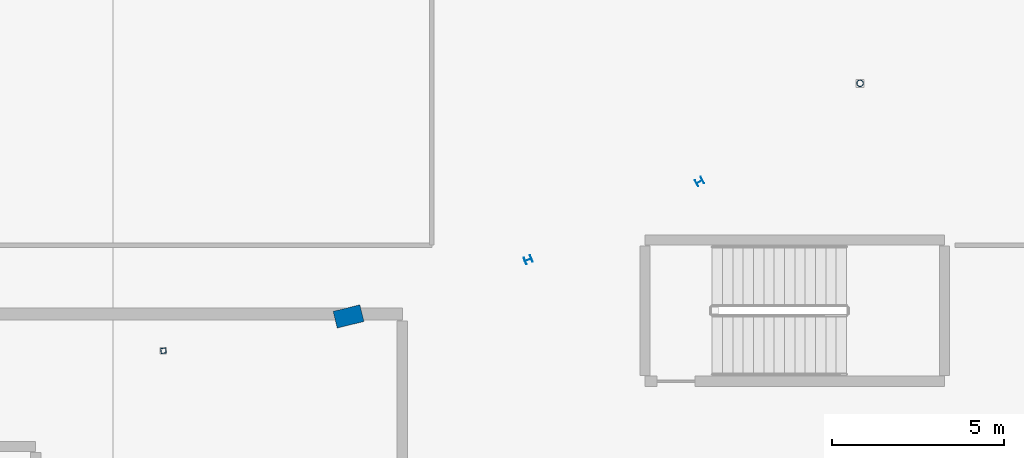
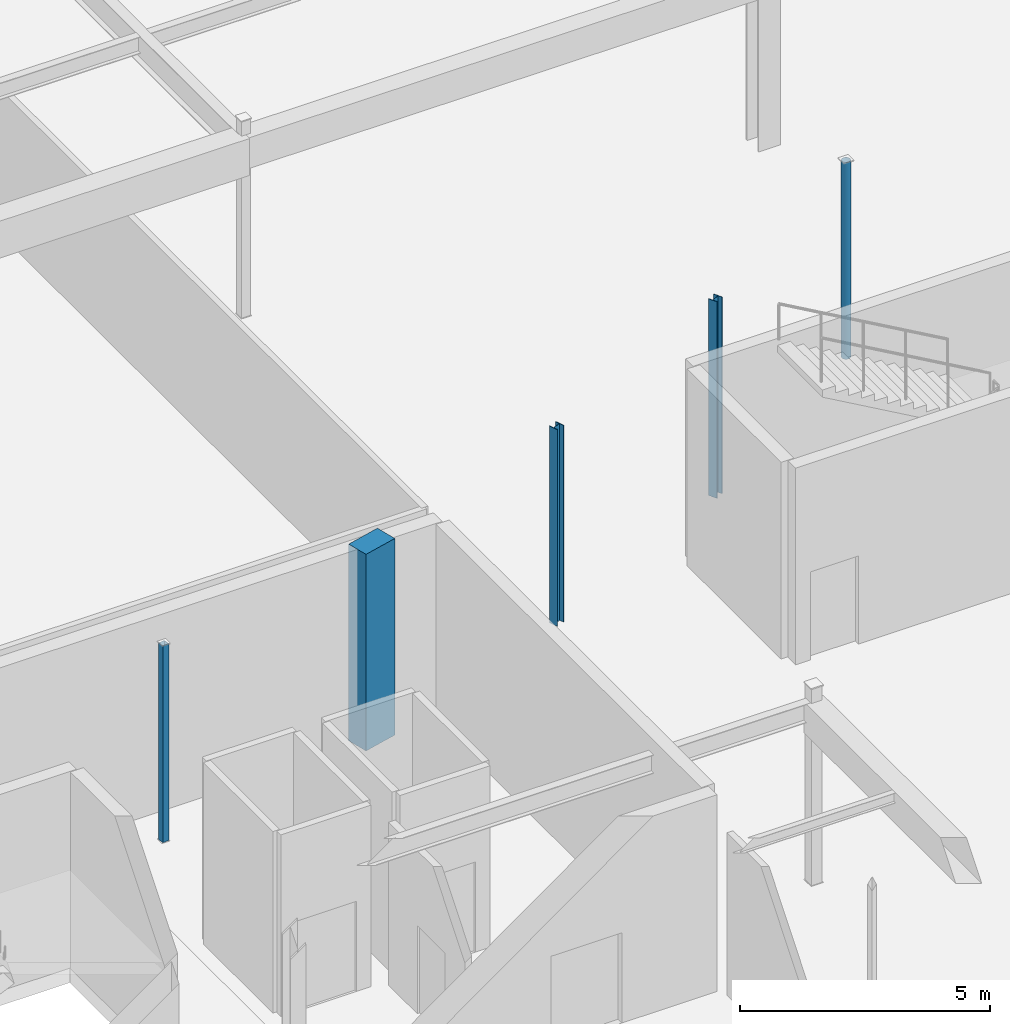
# One storey, part 12 of 226: 5 columns.
"""IFC4 building model written with IfcOpenShell, lengths in metres."""

from ifc_helpers import new_model, si_unit, direction, frame, origin, origin_2d, place, context, subcontext, project, spatial, rectangle, hollow_rectangle, hollow_circle, i_section, extrude, material, material_profile, profile_set, type_object, element, save


model = new_model("IFC4")

# Units and contexts
model_context = context("Model", 3, precision=1e-05, world=origin(), true_north=direction((0.0, 1.0)))
body_context = subcontext(model_context, "Body", "Model", "MODEL_VIEW")
ifc_project = project(units=[si_unit("LENGTHUNIT", "METRE"), si_unit("AREAUNIT", "SQUARE_METRE"), si_unit("VOLUMEUNIT", "CUBIC_METRE"), si_unit("PLANEANGLEUNIT", "RADIAN"), si_unit("MASSUNIT", "GRAM", prefix="KILO")], contexts=[model_context])

# Site, building, storey
site_placement = place(None, origin())
site = spatial("IfcSite", under=ifc_project, at=site_placement, CompositionType="ELEMENT")
building_placement = place(site_placement, origin())
building = spatial("IfcBuilding", under=site, at=building_placement, Name="Tarnwether General Hospital", CompositionType="ELEMENT")
storey_placement = place(building_placement, frame((0.0, 0.0, 4.800048828125)))
storey = spatial("IfcBuildingStorey", under=building, at=storey_placement, Name="L01", CompositionType="ELEMENT", Elevation=4.800048828125)

# Columns
ifc_material_1 = material(Name="Concrete 50 MPa", Category="concrete")
ifc_material_profile_1 = material_profile(ifc_material_1, rectangle(XDim=0.5, YDim=0.800048828125, at=origin_2d()), Name="RC-PIL-500x800")
ifc_profile_set_1 = profile_set([ifc_material_profile_1], Name="Concrete 50 MPa")
column_type_1 = type_object("IfcColumnType", Name="COL-23", PredefinedType="PILASTER", material=ifc_profile_set_1)
column_1_placement = place(storey_placement, frame((102.837890625, 19.531005859375, 0.0), z_axis=(0.0, 0.0, 1.0), x_axis=(-0.2419218956, 0.970295726276, 0.0)))
element("IfcColumn", 1, at=column_1_placement, inside=storey, type_object=column_type_1, Name="Column COLG-L01-10284_1953", PredefinedType="PILASTER", context=body_context, shape_type="SweptSolid", body=[
    extrude(rectangle(XDim=0.5, YDim=0.800048828125, at=origin_2d()), origin(), (0.0, 0.0, 1.0), 4.800048828125),
])
ifc_material_2 = material(Name="Steel Grade 350 (350 MPa)", Category="steel")
ifc_material_profile_2 = material_profile(ifc_material_2, i_section(OverallWidth=0.205078125, OverallDepth=0.2099609375, WebThickness=0.00927734375, FlangeThickness=0.01416015625, at=origin_2d()), Name="200UC59.5")
ifc_profile_set_2 = profile_set([ifc_material_profile_2], Name="Steel Grade 350 (350 MPa)")
column_type_2 = type_object("IfcColumnType", Name="COL-25", PredefinedType="COLUMN", material=ifc_profile_set_2)
column_2_placement = place(storey_placement, frame((108.054931640625, 21.176025390625, 0.0), z_axis=(0.0, 0.0, 1.0), x_axis=(-0.358367949545, 0.933580426497, 0.0)))
element("IfcColumn", 2, at=column_2_placement, inside=storey, type_object=column_type_2, Name="Column COLG-L01-10806_2118", PredefinedType="COLUMN", context=body_context, shape_type="SweptSolid", body=[
    extrude(i_section(OverallWidth=0.205078125, OverallDepth=0.2099609375, WebThickness=0.00927734375, FlangeThickness=0.01416015625, at=origin_2d()), origin(), (0.0, 0.0, 1.0), 4.800048828125),
])
ifc_material_3 = material(Name="Steel Grade 350 (350 MPa)", Category="steel")
ifc_material_profile_3 = material_profile(ifc_material_3, i_section(OverallWidth=0.202880859375, OverallDepth=0.202880859375, WebThickness=0.00732421875, FlangeThickness=0.010986328125, at=origin_2d()), Name="200UC46.2")
ifc_profile_set_3 = profile_set([ifc_material_profile_3], Name="Steel Grade 350 (350 MPa)")
column_type_3 = type_object("IfcColumnType", Name="COL-27", PredefinedType="COLUMN", material=ifc_profile_set_3)
column_3_placement = place(storey_placement, frame((113.031982421875, 23.444091796875, 0.0), z_axis=(0.0, 0.0, 1.0), x_axis=(-0.469471562786, 0.882947592859, 0.0)))
element("IfcColumn", 3, at=column_3_placement, inside=storey, type_object=column_type_3, Name="Column COLG-L01-11303_2344", PredefinedType="COLUMN", context=body_context, shape_type="SweptSolid", body=[
    extrude(i_section(OverallWidth=0.202880859375, OverallDepth=0.202880859375, WebThickness=0.00732421875, FlangeThickness=0.010986328125, at=origin_2d()), origin(), (0.0, 0.0, 1.0), 4.800048828125),
])
ifc_material_4 = material(Name="Steel Grade C350L0 (350 MPa)", Category="steel")
ifc_material_profile_4 = material_profile(ifc_material_4, hollow_circle(Radius=0.096923828125, WallThickness=0.008056640625, at=origin_2d()), Name="CHS193.7x8.0")
ifc_profile_set_4 = profile_set([ifc_material_profile_4], Name="Steel Grade C350L0 (350 MPa)")
column_type_4 = type_object("IfcColumnType", Name="COL-29", PredefinedType="COLUMN", material=ifc_profile_set_4)
column_4_placement = place(storey_placement, frame((117.696044921875, 26.302001953125, 0.0), z_axis=(0.0, 0.0, 1.0), x_axis=(-0.573576436351, 0.819152044289, 0.0)))
element("IfcColumn", 4, at=column_4_placement, inside=storey, type_object=column_type_4, Name="Column COLG-L01-11770_2630", PredefinedType="COLUMN", context=body_context, shape_type="SweptSolid", body=[
    extrude(hollow_circle(Radius=0.096923828125, WallThickness=0.008056640625, at=origin_2d()), origin(), (0.0, 0.0, 1.0), 4.800048828125),
])
ifc_material_5 = material(Name="Steel Grade C350L0 (350 MPa)", Category="steel")
ifc_material_profile_5 = material_profile(ifc_material_5, hollow_rectangle(XDim=0.14990234375, YDim=0.14990234375, WallThickness=0.008056640625, at=origin_2d()), Name="SHS150x150x8")
ifc_profile_set_5 = profile_set([ifc_material_profile_5], Name="Steel Grade C350L0 (350 MPa)")
column_type_5 = type_object("IfcColumnType", Name="COL-33", PredefinedType="COLUMN", material=ifc_profile_set_5)
column_5_placement = place(storey_placement, frame((97.4599609375, 18.533935546875, 0.0), z_axis=(0.0, 0.0, 1.0), x_axis=(-0.121869343405, 0.992546151641, 0.0)))
element("IfcColumn", 5, at=column_5_placement, inside=storey, type_object=column_type_5, Name="Column COLG-L01-9746_1853", PredefinedType="COLUMN", context=body_context, shape_type="SweptSolid", body=[
    extrude(hollow_rectangle(XDim=0.14990234375, YDim=0.14990234375, WallThickness=0.008056640625, at=origin_2d()), origin(), (0.0, 0.0, 1.0), 4.800048828125),
])

save(model, "model.ifc")
